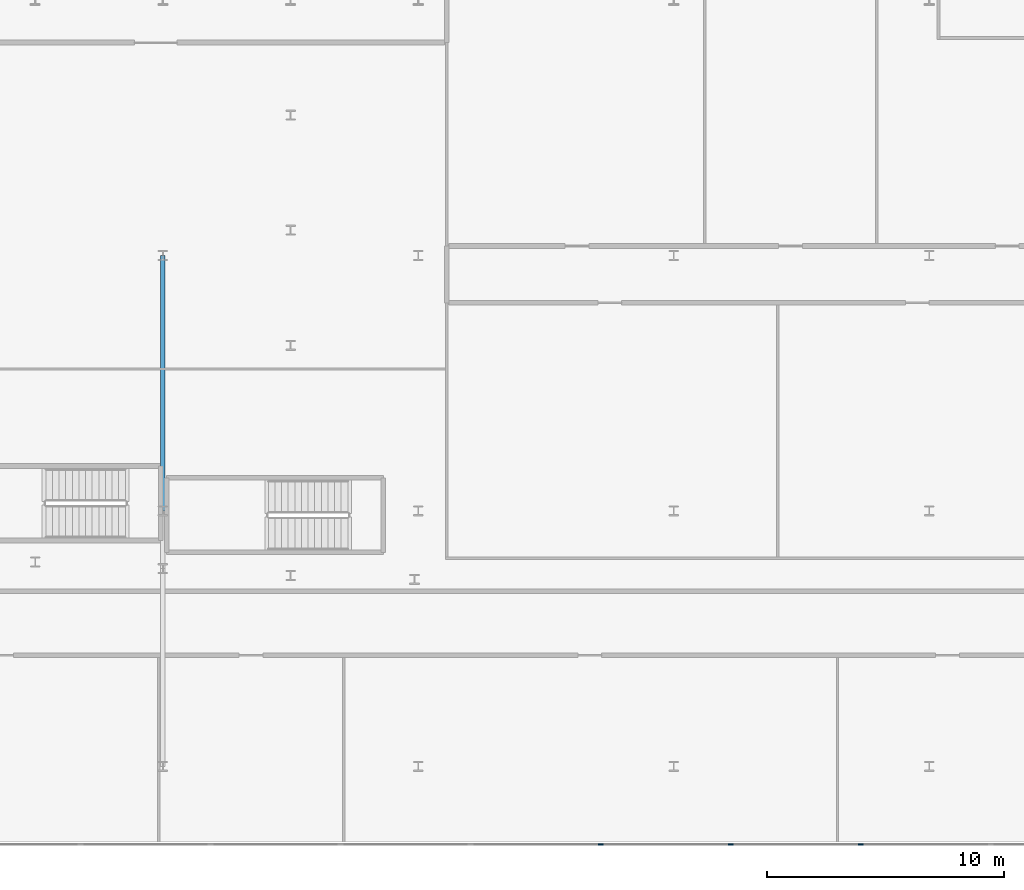
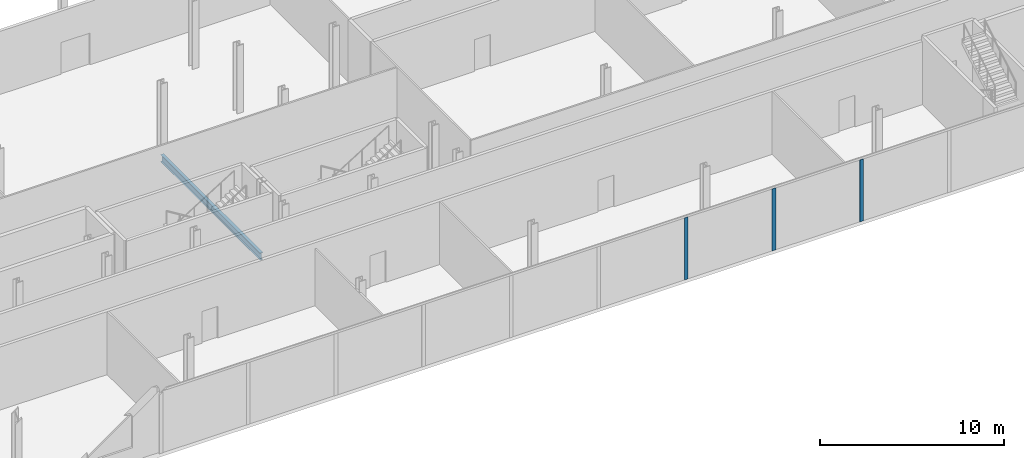
# One storey, part 12 of 47: 3 members, 1 beam, 1 element without a shape of its own.
"""IFC4 building model written with IfcOpenShell, lengths in metres."""

import ifcopenshell
import ifcopenshell.guid

model = None  # the IFC model being written
_history = None  # IfcOwnerHistory: only IFC2X3 demands one
_inside = {}  # id of a spatial element -> (the spatial element, [elements in it])
_under = {}  # id of a project, library or spatial element -> (it, [spatial elements below it])
_declared = {}  # id of a project -> (the project, [libraries it declares])
_typed = {}  # id of a type object -> (the type object, [elements of that type])
_made_of = {}  # id of a material, layer set ... -> (it, [elements and type objects made of it])


def new_model(schema):
    """Start an empty IFC model of exactly this schema.

    Asked for "IFC4X3", IfcOpenShell would pick the latest addendum, in which some entities
    have other attributes; the version numbers below select the first issue.
    IFC2X3 requires an IfcOwnerHistory on every rooted entity: one is made here for all.
    """
    global model, _history
    if schema == "IFC4X3":
        model = ifcopenshell.file(schema_version=(4, 3, 0, 0))
    else:
        model = ifcopenshell.file(schema=schema)
    _inside.clear()
    _under.clear()
    _declared.clear()
    _typed.clear()
    _made_of.clear()
    _history = None
    if model.schema == "IFC2X3":
        org = make("IfcOrganization", Name="unknown")
        user = make(
            "IfcPersonAndOrganization",
            ThePerson=make("IfcPerson", FamilyName="unknown"),
            TheOrganization=org,
        )
        app = make(
            "IfcApplication",
            ApplicationDeveloper=org,
            Version="unknown",
            ApplicationFullName="unknown",
            ApplicationIdentifier="unknown",
        )
        _history = make(
            "IfcOwnerHistory",
            OwningUser=user,
            OwningApplication=app,
            ChangeAction="ADDED",
            CreationDate=0,
        )
    return model


def make(cls, **values):
    """One entity of the class cls with the attributes given. An attribute that is None is left unset."""
    return model.create_entity(
        cls, **{name: value for name, value in values.items() if value is not None}
    )


def rooted(cls, **values):
    """An entity with a GlobalId (a new one), such as an element, a storey or a relation."""
    return make(cls, GlobalId=ifcopenshell.guid.new(), OwnerHistory=_history, **values)


def si_unit(unit_type, name, prefix=None):
    """IfcSIUnit, for example si_unit("LENGTHUNIT", "METRE", prefix="MILLI")."""
    return make("IfcSIUnit", UnitType=unit_type, Prefix=prefix, Name=name)


def assignment(units):
    """IfcUnitAssignment: the units of a project."""
    return None if units is None else make("IfcUnitAssignment", Units=units)


def point(xyz):
    """IfcCartesianPoint."""
    return None if xyz is None else make("IfcCartesianPoint", Coordinates=xyz)


def direction(xyz):
    """IfcDirection."""
    return None if xyz is None else make("IfcDirection", DirectionRatios=xyz)


def frame(location, z_axis=None, x_axis=None):
    """IfcAxis2Placement3D, a coordinate frame: its origin and axes. An axis left out is left unset."""
    return make(
        "IfcAxis2Placement3D",
        Location=point(location),
        Axis=direction(z_axis),
        RefDirection=direction(x_axis),
    )


def frame_2d(location, x_axis=None):
    """IfcAxis2Placement2D, a coordinate frame in the plane: its origin and x axis."""
    return make(
        "IfcAxis2Placement2D", Location=point(location), RefDirection=direction(x_axis)
    )


def origin():
    """The frame at (0, 0, 0) with its axes left unset."""
    return frame((0.0, 0.0, 0.0))


def origin_2d():
    """The frame at (0, 0) in the plane with its x axis left unset."""
    return frame_2d((0.0, 0.0))


def place(relative_to, where):
    """IfcLocalPlacement: puts the frame where relative to a parent placement (None: the world)."""
    return make(
        "IfcLocalPlacement", PlacementRelTo=relative_to, RelativePlacement=where
    )


def context(
    kind, dimensions, precision=None, world=None, true_north=None, identifier=None
):
    """IfcGeometricRepresentationContext, for example the 3D "Model" context."""
    return make(
        "IfcGeometricRepresentationContext",
        ContextIdentifier=identifier,
        ContextType=kind,
        CoordinateSpaceDimension=dimensions,
        Precision=precision,
        WorldCoordinateSystem=world,
        TrueNorth=true_north,
    )


def subcontext(parent, identifier, kind, view, scale=None):
    """IfcGeometricRepresentationSubContext, for example "Body" below "Model"."""
    return make(
        "IfcGeometricRepresentationSubContext",
        ContextIdentifier=identifier,
        ContextType=kind,
        ParentContext=parent,
        TargetScale=scale,
        TargetView=view,
    )


def project(units=None, contexts=None):
    """IfcProject with its units and contexts."""
    return rooted(
        "IfcProject",
        Name="project",
        RepresentationContexts=contexts,
        UnitsInContext=assignment(units),
    )


def spatial(cls, under=None, at=None, **own):
    """A site, building, storey or space (cls), placed at a placement, below another one or the project."""
    s = rooted(cls, ObjectPlacement=at, **own)
    if under is not None:
        _under.setdefault(under.id(), (under, []))[1].append(s)
    return s


def profile(cls, at=None, kind="AREA", **sizes):
    """A parametric profile (cls). Its sizes go by their IFC names, for example OverallWidth=200.0."""
    return make(cls, ProfileType=kind, Position=at, **sizes)


def rectangle(**sizes):
    """IfcRectangleProfileDef."""
    return profile("IfcRectangleProfileDef", **sizes)


def i_section(**sizes):
    """IfcIShapeProfileDef."""
    return profile("IfcIShapeProfileDef", **sizes)


def extrude(swept, where, along, depth):
    """IfcExtrudedAreaSolid: the profile swept, set in the frame where, extruded along a direction by depth."""
    return make(
        "IfcExtrudedAreaSolid",
        SweptArea=swept,
        Position=where,
        ExtrudedDirection=direction(along),
        Depth=depth,
    )


def shape(context_of_items, identifier, shape_type, items):
    """IfcShapeRepresentation: the items that make up one representation, for example the "Body"."""
    return make(
        "IfcShapeRepresentation",
        ContextOfItems=context_of_items,
        RepresentationIdentifier=identifier,
        RepresentationType=shape_type,
        Items=items,
    )


def material(Name=None, Category=None):
    """IfcMaterial."""
    return make("IfcMaterial", Name=Name, Category=Category)


def layer(
    of_material, thickness, ventilated=None, Name=None, Category=None, Priority=None
):
    """IfcMaterialLayer: one layer of a wall or slab, of a material (None: an air gap)."""
    return make(
        "IfcMaterialLayer",
        Material=of_material,
        LayerThickness=thickness,
        IsVentilated=ventilated,
        Name=Name,
        Category=Category,
        Priority=Priority,
    )


def layer_set(layers, Name=None):
    """IfcMaterialLayerSet."""
    return make("IfcMaterialLayerSet", MaterialLayers=layers, LayerSetName=Name)


def material_profile(
    of_material, cross_section, Name=None, Category=None, Priority=None
):
    """IfcMaterialProfile: a cross section and its material."""
    return make(
        "IfcMaterialProfile",
        Name=Name,
        Material=of_material,
        Profile=cross_section,
        Priority=Priority,
        Category=Category,
    )


def profile_set(profiles, Name=None, composite=None):
    """IfcMaterialProfileSet."""
    return make(
        "IfcMaterialProfileSet",
        Name=Name,
        MaterialProfiles=profiles,
        CompositeProfile=composite,
    )


def made_of(thing, what):
    """Note that an element or type object is made of a material, layer set ...; save() writes the relation."""
    if what is not None:
        _made_of.setdefault(what.id(), (what, []))[1].append(thing)
    return thing


def type_object(cls, material=None, **own):
    """A type object (cls), such as IfcWallType, which elements share."""
    return made_of(rooted(cls, **own), material)


def element(
    cls,
    number,
    at=None,
    inside=None,
    cuts=None,
    type_object=None,
    material=None,
    context=None,
    identifier="Body",
    shape_type=None,
    held_by="IfcProductDefinitionShape",
    body=None,
    shapes=None,
    **own,
):
    """One element of the class cls, such as IfcWall. Its Tag is "e" and its number.

    at: its placement. inside: the storey or other place that contains it. cuts: it is an
    opening in that element (IfcRelVoidsElement). A single representation is given by context,
    identifier, shape_type and body (its items); several are given by shapes. held_by: the class
    of the entity that holds the representations. save() writes the other relations.
    """
    e = rooted(cls, Tag="e%d" % number, ObjectPlacement=at, **own)
    if body is not None:
        shapes = [shape(context, identifier, shape_type, body)]
    if shapes is not None:
        e.Representation = make(held_by, Representations=shapes)
    if inside is not None:
        _inside.setdefault(inside.id(), (inside, []))[1].append(e)
    if cuts is not None:
        rooted(
            "IfcRelVoidsElement", RelatingBuildingElement=cuts, RelatedOpeningElement=e
        )
    if type_object is not None:
        _typed.setdefault(type_object.id(), (type_object, []))[1].append(e)
    return made_of(e, material)


def aggregate(whole, parts):
    """IfcRelAggregates: a whole, such as a stair, and the parts it consists of."""
    return rooted("IfcRelAggregates", RelatingObject=whole, RelatedObjects=parts)


def save(model, path):
    """Write the relations noted so far, then the file.

    IfcRelAggregates (storeys below a building ...), IfcRelContainedInSpatialStructure (elements
    in a storey), IfcRelDefinesByType, IfcRelAssociatesMaterial and IfcRelDeclares: one each for
    every whole, place, type object, material and project.
    """
    for whole, parts in _under.values():
        aggregate(whole, parts)
    for where, things in _inside.values():
        rooted(
            "IfcRelContainedInSpatialStructure",
            RelatedElements=things,
            RelatingStructure=where,
        )
    for kind, things in _typed.values():
        rooted("IfcRelDefinesByType", RelatedObjects=things, RelatingType=kind)
    for what, things in _made_of.values():
        rooted("IfcRelAssociatesMaterial", RelatedObjects=things, RelatingMaterial=what)
    for by, libraries in _declared.values():
        rooted("IfcRelDeclares", RelatingContext=by, RelatedDefinitions=libraries)
    model.write(path)


model = new_model("IFC4")

# Units and contexts
model_context = context("Model", 3, precision=1e-05, world=origin(), true_north=direction((0.0, 1.0)))
body_context = subcontext(model_context, "Body", "Model", "MODEL_VIEW")
ifc_project = project(units=[si_unit("LENGTHUNIT", "METRE"), si_unit("AREAUNIT", "SQUARE_METRE"), si_unit("VOLUMEUNIT", "CUBIC_METRE"), si_unit("PLANEANGLEUNIT", "RADIAN"), si_unit("MASSUNIT", "GRAM", prefix="KILO")], contexts=[model_context])

# Site, building, storey
site_placement = place(None, origin())
site = spatial("IfcSite", under=ifc_project, at=site_placement, CompositionType="ELEMENT")
building_placement = place(site_placement, origin())
building = spatial("IfcBuilding", under=site, at=building_placement, Name="Kheshtan School and Residences Tower", CompositionType="ELEMENT")
storey_placement = place(building_placement, frame((0.0, 0.0, 21.5)))
storey = spatial("IfcBuildingStorey", under=building, at=storey_placement, Name="L04", CompositionType="ELEMENT", Elevation=21.5)

# Beam
ifc_material_1 = material(Name="Steel ASTM A992 Grade 50", Category="steel")
ifc_material_profile_1 = material_profile(ifc_material_1, i_section(OverallWidth=0.194091796875, OverallDepth=0.468994140625, WebThickness=0.0126953125, FlangeThickness=0.0205078125, FilletRadius=0.01416015625, at=origin_2d()), Name="W460x106")
ifc_profile_set_1 = profile_set([ifc_material_profile_1], Name="Steel ASTM A992 Grade 50")
beam_type = type_object("IfcBeamType", Name="Beam PB2 W460x106 ASTM A992 Grade 50", PredefinedType="BEAM", material=ifc_profile_set_1)
beam_placement = place(storey_placement, frame((80.0, 24.0, -0.554443359375), z_axis=(0.0, 1.0, 0.0), x_axis=(-1.0, 0.0, 0.0)))
element("IfcBeam", 1, at=beam_placement, inside=storey, type_object=beam_type, Name="Podium floor beam PB2", PredefinedType="BEAM", context=body_context, shape_type="SweptSolid", body=[
    extrude(i_section(OverallWidth=0.194091796875, OverallDepth=0.468994140625, WebThickness=0.0126953125, FlangeThickness=0.0205078125, FilletRadius=0.01416015625, at=origin_2d()), origin(), (0.0, 0.0, 1.0), 10.800048828125),
])

# Curtain wall, members
ifc_material_2 = material(Name="Clear low-e glass in thermally broken aluminium frame", Category="aluminium")
ifc_layer = layer(ifc_material_2, 0.22509765625)
ifc_layer_set = layer_set([ifc_layer], Name="Curtain wall CW-P")
curtain_wall_type = type_object("IfcCurtainWallType", Name="Curtain wall CW-P", PredefinedType="NOTDEFINED", material=ifc_layer_set)
curtain_wall_placement = place(storey_placement, origin())
curtain_wall = element("IfcCurtainWall", 2, at=curtain_wall_placement, inside=storey, type_object=curtain_wall_type, Name="Curtain wall CWP12a", PredefinedType="NOTDEFINED")
ifc_material_3 = material(Name="Thermally broken aluminium, dark bronze anodised", Category="aluminium")
ifc_material_profile_2 = material_profile(ifc_material_3, rectangle(XDim=0.06005859375, YDim=0.22509765625, at=origin_2d()), Name="CW-P mullion 60x225")
ifc_profile_set_2 = profile_set([ifc_material_profile_2], Name="Thermally broken aluminium, dark bronze anodised")
member_type = type_object("IfcMemberType", Name="CW-P mullion 60x225", PredefinedType="MULLION", material=ifc_profile_set_2)
member_1_placement = place(storey_placement, frame((109.50537109375, 9.89990234375, 0.0), z_axis=(0.0, 0.0, 1.0), x_axis=(0.0, -1.0, 0.0)))
member_1 = element("IfcMember", 3, at=member_1_placement, type_object=member_type, Name="CWP12a mullion 4", PredefinedType="MULLION", context=body_context, shape_type="SweptSolid", body=[
    extrude(rectangle(XDim=0.06005859375, YDim=0.22509765625, at=origin_2d()), origin(), (0.0, 0.0, 1.0), 4.110107421875),
])
member_2_placement = place(storey_placement, frame((104.00732421875, 9.89990234375, 0.0), z_axis=(0.0, 0.0, 1.0), x_axis=(0.0, -1.0, 0.0)))
member_2 = element("IfcMember", 4, at=member_2_placement, type_object=member_type, Name="CWP12a mullion 5", PredefinedType="MULLION", context=body_context, shape_type="SweptSolid", body=[
    extrude(rectangle(XDim=0.06005859375, YDim=0.22509765625, at=origin_2d()), origin(), (0.0, 0.0, 1.0), 4.110107421875),
])
member_3_placement = place(storey_placement, frame((98.509033203125, 9.89990234375, 0.0), z_axis=(0.0, 0.0, 1.0), x_axis=(0.0, -1.0, 0.0)))
member_3 = element("IfcMember", 5, at=member_3_placement, type_object=member_type, Name="CWP12a mullion 6", PredefinedType="MULLION", context=body_context, shape_type="SweptSolid", body=[
    extrude(rectangle(XDim=0.06005859375, YDim=0.22509765625, at=origin_2d()), origin(), (0.0, 0.0, 1.0), 4.110107421875),
])
aggregate(curtain_wall, [member_1, member_2, member_3])

save(model, "model.ifc")
